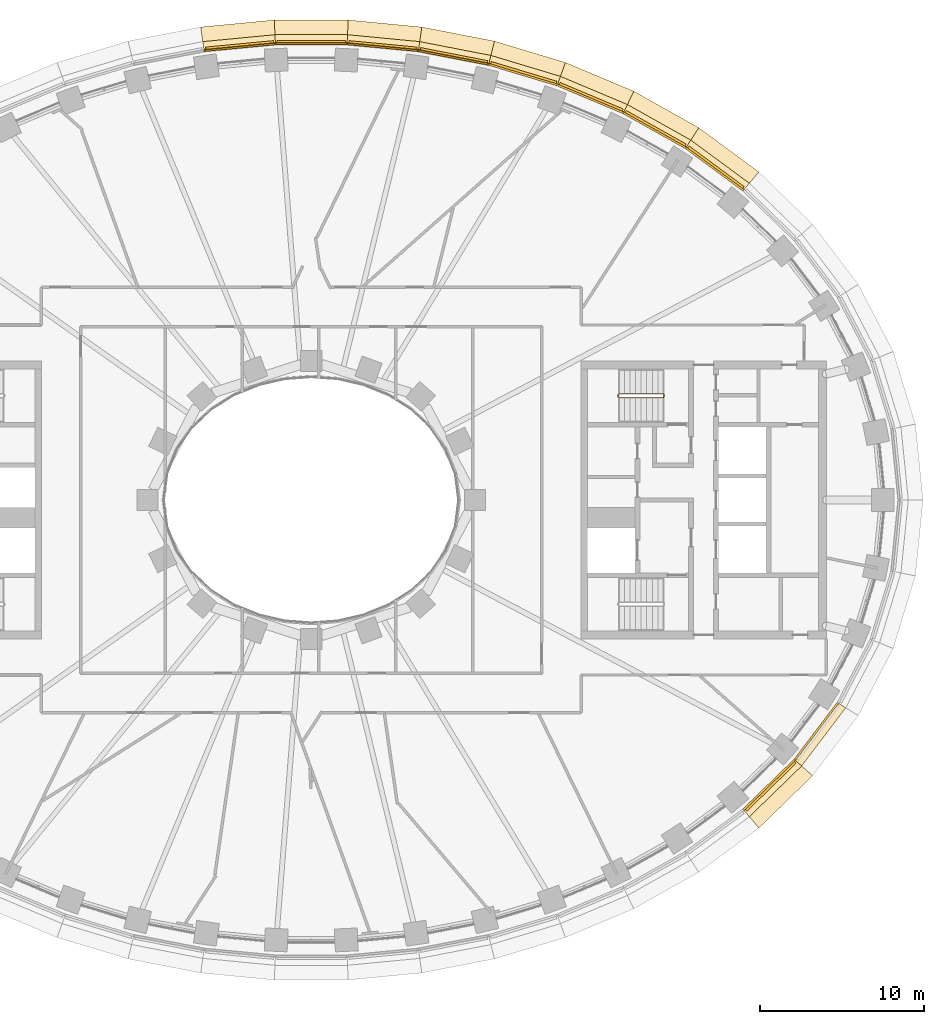
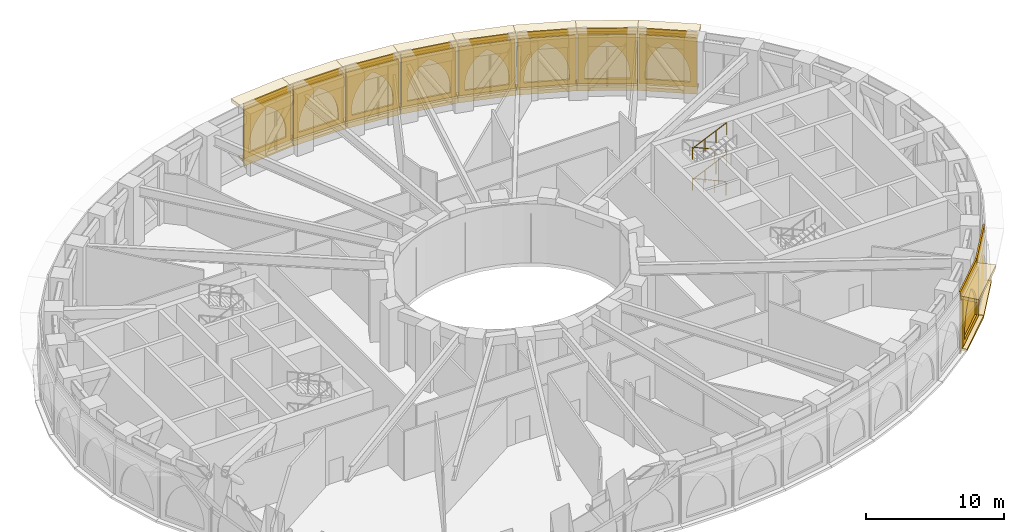
# One storey, part 24 of 25: 38 coverings, 1 railing.
"""IFC4 building model written with IfcOpenShell, lengths in metres."""

from ifc_helpers import new_model, si_unit, direction, frame, origin, origin_2d, place, context, subcontext, project, spatial, polyline, rectangle, outline, extrude, material, layer, layer_set, type_object, element, save


model = new_model("IFC4")

# Units and contexts
model_context = context("Model", 3, precision=1e-05, world=origin(), true_north=direction((0.0, 1.0)))
body_context = subcontext(model_context, "Body", "Model", "MODEL_VIEW")
ifc_project = project(units=[si_unit("LENGTHUNIT", "METRE"), si_unit("AREAUNIT", "SQUARE_METRE"), si_unit("VOLUMEUNIT", "CUBIC_METRE"), si_unit("PLANEANGLEUNIT", "RADIAN"), si_unit("MASSUNIT", "GRAM", prefix="KILO")], contexts=[model_context])

# Site, building, storey
site_placement = place(None, origin())
site = spatial("IfcSite", under=ifc_project, at=site_placement, CompositionType="ELEMENT")
building_placement = place(site_placement, origin())
building = spatial("IfcBuilding", under=site, at=building_placement, Name="Noorbagh Ring Tower", CompositionType="ELEMENT")
storey_placement = place(building_placement, frame((0.0, 0.0, 82.5)))
storey = spatial("IfcBuildingStorey", under=building, at=storey_placement, Name="L18", CompositionType="ELEMENT", Elevation=82.5)

# Railing
ifc_material_1 = material(Name="Stainless steel", Category="steel")
railing_type = type_object("IfcRailingType", Name="CORE-STAIR-GUARD", PredefinedType="GUARDRAIL", material=ifc_material_1)
railing_placement = place(storey_placement, frame((21.580078125, 6.449951171875, 0.0)))
element("IfcRailing", 1, at=railing_placement, inside=storey, type_object=railing_type, Name="L18 ST3 stair guard", PredefinedType="GUARDRAIL", context=body_context, shape_type="SweptSolid", body=[
    extrude(rectangle(XDim=0.048095703125, YDim=0.048095703125, at=origin_2d()), frame((0.0, 0.0, 1.076171875), z_axis=(0.0, -1.0, 0.0), x_axis=(1.0, 0.0, 0.0)), (0.0, 0.0, 1.0), 0.14990234375),
    extrude(rectangle(XDim=0.048095703125, YDim=0.048095703125, at=origin_2d()), frame((0.0, -0.14990234375, 1.076171875), z_axis=(-0.195046945594, 0.779236333862, 0.595606770449), x_axis=(-0.970072785993, -0.242814311512, 0.0)), (0.0, 0.0, 1.0), 0.256591796875),
    extrude(rectangle(XDim=0.048095703125, YDim=0.048095703125, at=origin_2d()), frame((-0.050048828125, 0.050048828125, 1.22900390625), z_axis=(-0.912149621895, 0.0, 0.409857374312), x_axis=(0.0, -1.0, 0.0)), (0.0, 0.0, 1.0), 2.98193359375),
    extrude(rectangle(XDim=0.048095703125, YDim=0.048095703125, at=origin_2d()), frame((-2.77001953125, 0.050048828125, 2.451171875), z_axis=(-0.707106781187, -0.707106781187, 0.0), x_axis=(0.707106781187, -0.707106781187, 0.0)), (0.0, 0.0, 1.0), 0.07080078125),
    extrude(rectangle(XDim=0.048095703125, YDim=0.048095703125, at=origin_2d()), frame((-2.820068359375, 0.0, 2.451171875), z_axis=(0.0, -1.0, 0.0), x_axis=(1.0, 0.0, 0.0)), (0.0, 0.0, 1.0), 0.14990234375),
    extrude(rectangle(XDim=0.048095703125, YDim=0.048095703125, at=origin_2d()), frame((-2.820068359375, -0.14990234375, 2.451171875), z_axis=(0.297155754911, -0.297155754911, 0.90741220768), x_axis=(0.707106781187, 0.707106781187, 0.0)), (0.0, 0.0, 1.0), 0.16845703125),
    extrude(rectangle(XDim=0.048095703125, YDim=0.048095703125, at=origin_2d()), frame((-2.77001953125, -0.199951171875, 2.60400390625), z_axis=(0.912149621895, 0.0, 0.409857374312), x_axis=(0.0, 1.0, 0.0)), (0.0, 0.0, 1.0), 2.98193359375),
    extrude(rectangle(XDim=0.048095703125, YDim=0.048095703125, at=origin_2d()), frame((-0.050048828125, -0.199951171875, 3.826171875), z_axis=(0.242814311512, 0.970072785993, 0.0), x_axis=(-0.970072785993, 0.242814311512, 0.0)), (0.0, 0.0, 1.0), 0.2060546875),
    extrude(rectangle(XDim=0.048095703125, YDim=0.048095703125, at=origin_2d()), frame((0.0, 0.0, 3.826171875), z_axis=(0.0, -1.0, 0.0), x_axis=(1.0, 0.0, 0.0)), (0.0, 0.0, 1.0), 0.14990234375),
    extrude(rectangle(XDim=0.048095703125, YDim=0.048095703125, at=origin_2d()), frame((0.0, -0.14990234375, 3.826171875), z_axis=(-0.195046945594, 0.779236333862, 0.595606770449), x_axis=(-0.970072785993, -0.242814311512, 0.0)), (0.0, 0.0, 1.0), 0.256591796875),
    extrude(rectangle(XDim=0.048095703125, YDim=0.048095703125, at=origin_2d()), frame((-0.050048828125, 0.050048828125, 3.97900390625), z_axis=(-0.912149621895, 0.0, 0.409857374312), x_axis=(0.0, -1.0, 0.0)), (0.0, 0.0, 1.0), 2.98193359375),
    extrude(rectangle(XDim=0.048095703125, YDim=0.048095703125, at=origin_2d()), frame((-2.77001953125, 0.050048828125, 5.201171875), z_axis=(-0.707106781187, -0.707106781187, 0.0), x_axis=(0.707106781187, -0.707106781187, 0.0)), (0.0, 0.0, 1.0), 0.07080078125),
    extrude(rectangle(XDim=0.048095703125, YDim=0.048095703125, at=origin_2d()), frame((-2.820068359375, 0.0, 5.201171875), z_axis=(0.0, -1.0, 0.0), x_axis=(1.0, 0.0, 0.0)), (0.0, 0.0, 1.0), 0.14990234375),
    extrude(rectangle(XDim=0.048095703125, YDim=0.048095703125, at=origin_2d()), frame((-2.820068359375, -0.14990234375, 5.201171875), z_axis=(0.297155754911, -0.297155754911, 0.90741220768), x_axis=(0.707106781187, 0.707106781187, 0.0)), (0.0, 0.0, 1.0), 0.16845703125),
    extrude(rectangle(XDim=0.048095703125, YDim=0.048095703125, at=origin_2d()), frame((-2.77001953125, -0.199951171875, 5.35400390625), z_axis=(0.912149621895, 0.0, 0.409857374312), x_axis=(0.0, 1.0, 0.0)), (0.0, 0.0, 1.0), 2.98193359375),
    extrude(rectangle(XDim=0.0419921875, YDim=0.0419921875, at=origin_2d()), origin(), (0.0, 0.0, 1.0), 1.052001953125),
    extrude(rectangle(XDim=0.0419921875, YDim=0.0419921875, at=origin_2d()), frame((-0.956787109375, 0.050048828125, 0.560302734375)), (0.0, 0.0, 1.0), 1.052001953125),
    extrude(rectangle(XDim=0.0419921875, YDim=0.0419921875, at=origin_2d()), frame((-1.86328125, 0.050048828125, 0.967529296875)), (0.0, 0.0, 1.0), 1.052001953125),
    extrude(rectangle(XDim=0.0419921875, YDim=0.0419921875, at=origin_2d()), frame((-2.77001953125, 0.050048828125, 1.375)), (0.0, 0.0, 1.0), 1.052001953125),
    extrude(rectangle(XDim=0.0419921875, YDim=0.0419921875, at=origin_2d()), frame((-1.86328125, -0.199951171875, 1.935302734375)), (0.0, 0.0, 1.0), 1.052001953125),
    extrude(rectangle(XDim=0.0419921875, YDim=0.0419921875, at=origin_2d()), frame((-0.956787109375, -0.199951171875, 2.342529296875)), (0.0, 0.0, 1.0), 1.052001953125),
    extrude(rectangle(XDim=0.0419921875, YDim=0.0419921875, at=origin_2d()), frame((-0.050048828125, -0.199951171875, 2.75)), (0.0, 0.0, 1.0), 1.052001953125),
    extrude(rectangle(XDim=0.0419921875, YDim=0.0419921875, at=origin_2d()), frame((-0.956787109375, 0.050048828125, 3.310302734375)), (0.0, 0.0, 1.0), 1.052001953125),
    extrude(rectangle(XDim=0.0419921875, YDim=0.0419921875, at=origin_2d()), frame((-1.86328125, 0.050048828125, 3.717529296875)), (0.0, 0.0, 1.0), 1.052001953125),
    extrude(rectangle(XDim=0.0419921875, YDim=0.0419921875, at=origin_2d()), frame((-2.77001953125, 0.050048828125, 4.125)), (0.0, 0.0, 1.0), 1.052001953125),
    extrude(rectangle(XDim=0.0419921875, YDim=0.0419921875, at=origin_2d()), frame((-1.86328125, -0.199951171875, 4.685302734375)), (0.0, 0.0, 1.0), 1.052001953125),
    extrude(rectangle(XDim=0.0419921875, YDim=0.0419921875, at=origin_2d()), frame((-0.956787109375, -0.199951171875, 5.092529296875)), (0.0, 0.0, 1.0), 1.052001953125),
    extrude(rectangle(XDim=0.0419921875, YDim=0.0419921875, at=origin_2d()), frame((-0.050048828125, -0.199951171875, 5.5)), (0.0, 0.0, 1.0), 1.052001953125),
])

# Coverings
ifc_material_2 = material(Name="Aluminium 6063-T6 black anodised", Category="aluminium")
ifc_layer_1 = layer(ifc_material_2, 0.1201171875)
ifc_layer_set_1 = layer_set([ifc_layer_1], Name="Aluminium 6063-T6 black anodised")
covering_type_1 = type_object("IfcCoveringType", Name="ENV-LOUVRE-BAND", PredefinedType="CLADDING", material=ifc_layer_set_1)
covering_1_placement = place(storey_placement, frame((24.662109375, 20.2353515625, -0.300048828125), z_axis=(0.0, 0.0, 1.0), x_axis=(-0.805153045326, 0.593067090304, 0.0)))
element("IfcCovering", 2, at=covering_1_placement, inside=storey, type_object=covering_type_1, Name="Louvre screen chord 06", ObjectType="LOUVRE", PredefinedType="CLADDING", context=body_context, shape_type="SweptSolid", body=[
    extrude(rectangle(XDim=4.3486328125, YDim=0.1201171875, at=origin_2d()), origin(), (0.0, 0.0, 1.0), 5.5),
])
covering_2_placement = place(storey_placement, frame((20.990966796875, 22.604736328125, -0.300048828125), z_axis=(0.0, 0.0, 1.0), x_axis=(-0.872044586249, 0.48942643941, 0.0)))
element("IfcCovering", 3, at=covering_2_placement, inside=storey, type_object=covering_type_1, Name="Louvre screen chord 07", ObjectType="LOUVRE", PredefinedType="CLADDING", context=body_context, shape_type="SweptSolid", body=[
    extrude(rectangle(XDim=4.34912109375, YDim=0.1201171875, at=origin_2d()), origin(), (0.0, 0.0, 1.0), 5.5),
])
covering_3_placement = place(storey_placement, frame((17.0634765625, 24.52490234375, -0.300048828125), z_axis=(0.0, 0.0, 1.0), x_axis=(-0.921811566494, 0.387638279686, 0.0)))
element("IfcCovering", 4, at=covering_3_placement, inside=storey, type_object=covering_type_1, Name="Louvre screen chord 08", ObjectType="LOUVRE", PredefinedType="CLADDING", context=body_context, shape_type="SweptSolid", body=[
    extrude(rectangle(XDim=4.349365234375, YDim=0.1201171875, at=origin_2d()), origin(), (0.0, 0.0, 1.0), 5.5),
])
covering_4_placement = place(storey_placement, frame((12.947998046875, 26.0048828125, -0.300048828125), z_axis=(0.0, 0.0, 1.0), x_axis=(-0.957577925467, 0.28817445525, 0.0)))
element("IfcCovering", 5, at=covering_4_placement, inside=storey, type_object=covering_type_1, Name="Louvre screen chord 09", ObjectType="LOUVRE", PredefinedType="CLADDING", context=body_context, shape_type="SweptSolid", body=[
    extrude(rectangle(XDim=4.349609375, YDim=0.1201171875, at=origin_2d()), origin(), (0.0, 0.0, 1.0), 5.5),
])
for number, where, z_axis, x_axis, name in (
    (6, (8.700927734375, 27.053955078125, -0.300048828125), (0.0, 0.0, 1.0), (-0.981624952922, 0.190820470077, 0.0), "Louvre screen chord 10"),
    (7, (4.37060546875, 27.679931640625, -0.300048828125), (0.0, 0.0, 1.0), (-0.995476497323, 0.095008122171, 0.0), "Louvre screen chord 11"),
    (8, (0.0, 27.887939453125, -0.300048828125), (0.0, 0.0, 1.0), (-1.0, 0.0, 0.0), "Louvre screen chord 12"),
    (9, (-4.37060546875, 27.679931640625, -0.300048828125), (0.0, 0.0, 1.0), (-0.995476497323, -0.095008122171, 0.0), "Louvre screen chord 13"),
):
    element("IfcCovering", number, at=place(storey_placement, frame(where, z_axis=z_axis, x_axis=x_axis)), inside=storey, type_object=covering_type_1, Name=name, ObjectType="LOUVRE", PredefinedType="CLADDING", context=body_context, shape_type="SweptSolid", body=[
        extrude(rectangle(XDim=4.349853515625, YDim=0.1201171875, at=origin_2d()), origin(), (0.0, 0.0, 1.0), 5.5),
    ])
covering_5_placement = place(storey_placement, frame((27.993408203125, -17.41259765625, -0.300048828125), z_axis=(0.0, 0.0, 1.0), x_axis=(0.717224548362, 0.696842125038, 0.0)))
element("IfcCovering", 10, at=covering_5_placement, inside=storey, type_object=covering_type_1, Name="Louvre screen chord 42", ObjectType="LOUVRE", PredefinedType="CLADDING", context=body_context, shape_type="SweptSolid", body=[
    extrude(rectangle(XDim=4.347900390625, YDim=0.1201171875, at=origin_2d()), origin(), (0.0, 0.0, 1.0), 5.5),
])
covering_6_placement = place(storey_placement, frame((30.883544921875, -14.145263671875, -0.300048828125), z_axis=(0.0, 0.0, 1.0), x_axis=(0.604020184358, 0.796969018776, 0.0)))
element("IfcCovering", 11, at=covering_6_placement, inside=storey, type_object=covering_type_1, Name="Louvre screen chord 43", ObjectType="LOUVRE", PredefinedType="CLADDING", context=body_context, shape_type="SweptSolid", body=[
    extrude(rectangle(XDim=4.346923828125, YDim=0.1201171875, at=origin_2d()), origin(), (0.0, 0.0, 1.0), 5.5),
])
ifc_material_3 = material(Name="Red sandstone cladding", Category="masonry")
ifc_layer_2 = layer(ifc_material_3, 0.14990234375)
ifc_layer_set_2 = layer_set([ifc_layer_2], Name="Red sandstone cladding")
covering_type_2 = type_object("IfcCoveringType", Name="STYLE-BAND-ARCADE", PredefinedType="USERDEFINED", material=ifc_layer_set_2)
covering_7_placement = place(storey_placement, frame((26.471435546875, 19.163330078125, 0.25), z_axis=(0.593079629262, 0.805143809114, 0.0), x_axis=(-0.805143809114, 0.593079629262, 0.0)))
element("IfcCovering", 12, at=covering_7_placement, inside=storey, type_object=covering_type_2, Name="Blind arch bay of the band", ObjectType="ARCH", PredefinedType="USERDEFINED", context=body_context, shape_type="SweptSolid", body=[
    extrude(outline(polyline([(0.0, 0.0), (4.184814453125, 0.0), (4.184814453125, 4.300048828125), (0.0, 4.300048828125), (0.0, 0.0)]), holes=[polyline([(0.449951171875, 0.39990234375), (0.449951171875, 0.9052734375), (0.47802734375, 1.333984375), (0.56201171875, 1.75537109375), (0.7001953125, 2.162353515625), (0.89013671875, 2.547607421875), (1.12890625, 2.905029296875), (1.412109375, 3.22802734375), (1.735107421875, 3.511474609375), (2.092529296875, 3.75), (2.44970703125, 3.511474609375), (2.772705078125, 3.22802734375), (3.05615234375, 2.905029296875), (3.294921875, 2.547607421875), (3.48486328125, 2.162353515625), (3.623046875, 1.75537109375), (3.706787109375, 1.333984375), (3.73486328125, 0.9052734375), (3.73486328125, 0.39990234375), (0.449951171875, 0.39990234375)])]), origin(), (0.0, 0.0, -1.0), 0.14990234375),
])
covering_8_placement = place(storey_placement, frame((22.918701171875, 21.763671875, 0.25), z_axis=(0.489402470802, 0.872058037961, 0.0), x_axis=(-0.872058037961, 0.489402470802, 0.0)))
element("IfcCovering", 13, at=covering_8_placement, inside=storey, type_object=covering_type_2, Name="Blind arch bay of the band", ObjectType="ARCH", PredefinedType="USERDEFINED", context=body_context, shape_type="SweptSolid", body=[
    extrude(outline(polyline([(0.0, 0.0), (4.185302734375, 0.0), (4.185302734375, 4.300048828125), (0.0, 4.300048828125), (0.0, 0.0)]), holes=[polyline([(0.449951171875, 0.39990234375), (0.449951171875, 0.90478515625), (0.47802734375, 1.33349609375), (0.56201171875, 1.755126953125), (0.7001953125, 2.162109375), (0.89013671875, 2.547607421875), (1.12890625, 2.90478515625), (1.412353515625, 3.22802734375), (1.7353515625, 3.51123046875), (2.0927734375, 3.75), (2.4501953125, 3.51123046875), (2.773193359375, 3.22802734375), (3.056396484375, 2.90478515625), (3.29541015625, 2.547607421875), (3.4853515625, 2.162109375), (3.62353515625, 1.755126953125), (3.70751953125, 1.33349609375), (3.735595703125, 0.90478515625), (3.735595703125, 0.39990234375), (0.449951171875, 0.39990234375)])]), origin(), (0.0, 0.0, -1.0), 0.14990234375),
])
covering_9_placement = place(storey_placement, frame((19.07421875, 23.9072265625, 0.25), z_axis=(0.387624121421, 0.92181752017, 0.0), x_axis=(-0.92181752017, 0.387624121421, 0.0)))
element("IfcCovering", 14, at=covering_9_placement, inside=storey, type_object=covering_type_2, Name="Blind arch bay of the band", ObjectType="ARCH", PredefinedType="USERDEFINED", context=body_context, shape_type="SweptSolid", body=[
    extrude(outline(polyline([(0.0, 0.0), (4.185791015625, 0.0), (4.185791015625, 4.300048828125), (0.0, 4.300048828125), (0.0, 0.0)]), holes=[polyline([(0.449951171875, 0.39990234375), (0.449951171875, 0.904541015625), (0.47802734375, 1.33349609375), (0.56201171875, 1.7548828125), (0.7001953125, 2.161865234375), (0.89013671875, 2.54736328125), (1.12890625, 2.90478515625), (1.412353515625, 3.227783203125), (1.735595703125, 3.51123046875), (2.093017578125, 3.75), (2.4501953125, 3.51123046875), (2.7734375, 3.227783203125), (3.056884765625, 2.90478515625), (3.295654296875, 2.54736328125), (3.485595703125, 2.161865234375), (3.623779296875, 1.7548828125), (3.707763671875, 1.33349609375), (3.73583984375, 0.904541015625), (3.73583984375, 0.39990234375), (0.449951171875, 0.39990234375)])]), origin(), (0.0, 0.0, -1.0), 0.14990234375),
])
covering_10_placement = place(storey_placement, frame((15.0126953125, 25.602783203125, 0.25), z_axis=(0.288182515773, 0.957575499688, 0.0), x_axis=(-0.957575499688, 0.288182515773, 0.0)))
element("IfcCovering", 15, at=covering_10_placement, inside=storey, type_object=covering_type_2, Name="Blind arch bay of the band", ObjectType="ARCH", PredefinedType="USERDEFINED", context=body_context, shape_type="SweptSolid", body=[
    extrude(outline(polyline([(0.0, 0.0), (4.185791015625, 0.0), (4.185791015625, 4.300048828125), (0.0, 4.300048828125), (0.0, 0.0)]), holes=[polyline([(0.449951171875, 0.39990234375), (0.449951171875, 0.904296875), (0.47802734375, 1.333251953125), (0.56201171875, 1.7548828125), (0.7001953125, 2.161865234375), (0.890380859375, 2.54736328125), (1.129150390625, 2.90478515625), (1.41259765625, 3.227783203125), (1.735595703125, 3.51123046875), (2.093017578125, 3.75), (2.450439453125, 3.51123046875), (2.773681640625, 3.227783203125), (3.056884765625, 2.90478515625), (3.2958984375, 2.54736328125), (3.48583984375, 2.161865234375), (3.6240234375, 1.7548828125), (3.7080078125, 1.333251953125), (3.736083984375, 0.904296875), (3.736083984375, 0.39990234375), (0.449951171875, 0.39990234375)])]), origin(), (0.0, 0.0, -1.0), 0.14990234375),
])
covering_11_placement = place(storey_placement, frame((10.7958984375, 26.860595703125, 0.25), z_axis=(0.190819708322, 0.981625101001, 0.0), x_axis=(-0.981625101001, 0.190819708322, 0.0)))
element("IfcCovering", 16, at=covering_11_placement, inside=storey, type_object=covering_type_2, Name="Blind arch bay of the band", ObjectType="ARCH", PredefinedType="USERDEFINED", context=body_context, shape_type="SweptSolid", body=[
    extrude(outline(polyline([(0.0, 0.0), (4.186279296875, 0.0), (4.186279296875, 4.300048828125), (0.0, 4.300048828125), (0.0, 0.0)]), holes=[polyline([(0.449951171875, 0.39990234375), (0.449951171875, 0.904052734375), (0.47802734375, 1.3330078125), (0.56201171875, 1.754638671875), (0.7001953125, 2.16162109375), (0.890380859375, 2.547119140625), (1.129150390625, 2.90478515625), (1.41259765625, 3.227783203125), (1.735595703125, 3.51123046875), (2.093017578125, 3.75), (2.450439453125, 3.51123046875), (2.773681640625, 3.227783203125), (3.05712890625, 2.90478515625), (3.2958984375, 2.547119140625), (3.486083984375, 2.16162109375), (3.624267578125, 1.754638671875), (3.7080078125, 1.3330078125), (3.736083984375, 0.904052734375), (3.736083984375, 0.39990234375), (0.449951171875, 0.39990234375)])]), origin(), (0.0, 0.0, -1.0), 0.14990234375),
])
covering_12_placement = place(storey_placement, frame((6.474365234375, 27.690185546875, 0.25), z_axis=(0.094998982718, 0.995477369548, 0.0), x_axis=(-0.995477369548, 0.094998982718, 0.0)))
element("IfcCovering", 17, at=covering_12_placement, inside=storey, type_object=covering_type_2, Name="Blind arch bay of the band", ObjectType="ARCH", PredefinedType="USERDEFINED", context=body_context, shape_type="SweptSolid", body=[
    extrude(outline(polyline([(0.0, 0.0), (4.1865234375, 0.0), (4.1865234375, 4.300048828125), (0.0, 4.300048828125), (0.0, 0.0)]), holes=[polyline([(0.449951171875, 0.39990234375), (0.449951171875, 0.904052734375), (0.47802734375, 1.3330078125), (0.56201171875, 1.754638671875), (0.7001953125, 2.16162109375), (0.890380859375, 2.547119140625), (1.129150390625, 2.904541015625), (1.41259765625, 3.227783203125), (1.735595703125, 3.51123046875), (2.09326171875, 3.75), (2.45068359375, 3.51123046875), (2.773681640625, 3.227783203125), (3.05712890625, 2.904541015625), (3.2958984375, 2.547119140625), (3.486083984375, 2.16162109375), (3.624267578125, 1.754638671875), (3.708251953125, 1.3330078125), (3.736328125, 0.904052734375), (3.736328125, 0.39990234375), (0.449951171875, 0.39990234375)])]), origin(), (0.0, 0.0, -1.0), 0.14990234375),
])
covering_13_placement = place(storey_placement, frame((2.09326171875, 28.097900390625, 0.25), z_axis=(0.0, 1.0, 0.0), x_axis=(-1.0, 0.0, 0.0)))
element("IfcCovering", 18, at=covering_13_placement, inside=storey, type_object=covering_type_2, Name="Blind arch bay of the band", ObjectType="ARCH", PredefinedType="USERDEFINED", context=body_context, shape_type="SweptSolid", body=[
    extrude(outline(polyline([(0.0, 0.0), (4.1865234375, 0.0), (4.1865234375, 4.300048828125), (0.0, 4.300048828125), (0.0, 0.0)]), holes=[polyline([(0.449951171875, 0.39990234375), (0.449951171875, 0.904052734375), (0.47802734375, 1.3330078125), (0.56201171875, 1.754638671875), (0.7001953125, 2.16162109375), (0.890380859375, 2.547119140625), (1.129150390625, 2.904541015625), (1.41259765625, 3.227783203125), (1.735595703125, 3.51123046875), (2.09326171875, 3.75), (2.45068359375, 3.51123046875), (2.773681640625, 3.227783203125), (3.05712890625, 2.904541015625), (3.296142578125, 2.547119140625), (3.486083984375, 2.16162109375), (3.62451171875, 1.754638671875), (3.708251953125, 1.3330078125), (3.736328125, 0.904052734375), (3.736328125, 0.39990234375), (0.449951171875, 0.39990234375)])]), origin(), (0.0, 0.0, -1.0), 0.14990234375),
])
covering_14_placement = place(storey_placement, frame((-2.306884765625, 28.087890625, 0.25), z_axis=(-0.094998982718, 0.995477369548, 0.0), x_axis=(-0.995477369548, -0.094998982718, 0.0)))
element("IfcCovering", 19, at=covering_14_placement, inside=storey, type_object=covering_type_2, Name="Blind arch bay of the band", ObjectType="ARCH", PredefinedType="USERDEFINED", context=body_context, shape_type="SweptSolid", body=[
    extrude(outline(polyline([(0.0, 0.0), (4.1865234375, 0.0), (4.1865234375, 4.300048828125), (0.0, 4.300048828125), (0.0, 0.0)]), holes=[polyline([(0.449951171875, 0.39990234375), (0.449951171875, 0.904052734375), (0.47802734375, 1.3330078125), (0.56201171875, 1.754638671875), (0.7001953125, 2.16162109375), (0.890380859375, 2.547119140625), (1.129150390625, 2.904541015625), (1.41259765625, 3.227783203125), (1.735595703125, 3.51123046875), (2.09326171875, 3.75), (2.45068359375, 3.51123046875), (2.773681640625, 3.227783203125), (3.05712890625, 2.904541015625), (3.2958984375, 2.547119140625), (3.486083984375, 2.16162109375), (3.624267578125, 1.754638671875), (3.708251953125, 1.3330078125), (3.736328125, 0.904052734375), (3.736328125, 0.39990234375), (0.449951171875, 0.39990234375)])]), origin(), (0.0, 0.0, -1.0), 0.14990234375),
])
covering_15_placement = place(storey_placement, frame((26.639404296875, -19.021240234375, 0.25), z_axis=(0.696851724238, -0.717215221831, 0.0), x_axis=(0.717215221831, 0.696851724238, 0.0)))
element("IfcCovering", 20, at=covering_15_placement, inside=storey, type_object=covering_type_2, Name="Blind arch bay of the band", ObjectType="ARCH", PredefinedType="USERDEFINED", context=body_context, shape_type="SweptSolid", body=[
    extrude(outline(polyline([(0.0, 0.0), (4.184326171875, 0.0), (4.184326171875, 4.300048828125), (0.0, 4.300048828125), (0.0, 0.0)]), holes=[polyline([(0.449951171875, 0.39990234375), (0.449951171875, 0.90576171875), (0.47802734375, 1.33447265625), (0.56201171875, 1.755859375), (0.699951171875, 2.16259765625), (0.889892578125, 2.548095703125), (1.128662109375, 2.9052734375), (1.411865234375, 3.228271484375), (1.73486328125, 3.511474609375), (2.092041015625, 3.75), (2.44921875, 3.511474609375), (2.772216796875, 3.228271484375), (3.0556640625, 2.9052734375), (3.294189453125, 2.548095703125), (3.484130859375, 2.16259765625), (3.622314453125, 1.755859375), (3.706298828125, 1.33447265625), (3.734130859375, 0.90576171875), (3.734130859375, 0.39990234375), (0.449951171875, 0.39990234375)])]), origin(), (0.0, 0.0, -1.0), 0.14990234375),
])
ifc_material_4 = material(Name="Red sandstone eave", Category="masonry")
covering_type_3 = type_object("IfcCoveringType", Name="STYLE-BAND-EAVE", PredefinedType="USERDEFINED", material=ifc_material_4)
covering_16_placement = place(storey_placement, frame((0.0, 0.0, 4.550048828125)))
element("IfcCovering", 21, at=covering_16_placement, inside=storey, type_object=covering_type_3, Name="Chhajja eave", ObjectType="CHHAJJA", PredefinedType="USERDEFINED", context=body_context, shape_type="SweptSolid", body=[
    extrude(outline(polyline([(26.463134765625, 18.9833984375), (22.9326171875, 21.583740234375), (23.693115234375, 22.762451171875), (27.3701171875, 20.053955078125), (26.463134765625, 18.9833984375)])), origin(), (0.0, 0.0, 1.0), 0.300048828125),
])
covering_17_placement = place(storey_placement, frame((0.0, 0.0, 4.550048828125)))
element("IfcCovering", 22, at=covering_17_placement, inside=storey, type_object=covering_type_3, Name="Chhajja eave", ObjectType="CHHAJJA", PredefinedType="USERDEFINED", context=body_context, shape_type="SweptSolid", body=[
    extrude(outline(polyline([(22.9326171875, 21.583740234375), (19.108154296875, 23.730224609375), (19.72412109375, 24.989990234375), (23.693115234375, 22.762451171875), (22.9326171875, 21.583740234375)])), origin(), (0.0, 0.0, 1.0), 0.300048828125),
])
covering_18_placement = place(storey_placement, frame((0.0, 0.0, 4.550048828125)))
element("IfcCovering", 23, at=covering_18_placement, inside=storey, type_object=covering_type_3, Name="Chhajja eave", ObjectType="CHHAJJA", PredefinedType="USERDEFINED", context=body_context, shape_type="SweptSolid", body=[
    extrude(outline(polyline([(19.108154296875, 23.730224609375), (15.065185546875, 25.430419921875), (15.539794921875, 26.74951171875), (19.72412109375, 24.989990234375), (19.108154296875, 23.730224609375)])), origin(), (0.0, 0.0, 1.0), 0.300048828125),
])
covering_19_placement = place(storey_placement, frame((0.0, 0.0, 4.550048828125)))
element("IfcCovering", 24, at=covering_19_placement, inside=storey, type_object=covering_type_3, Name="Chhajja eave", ObjectType="CHHAJJA", PredefinedType="USERDEFINED", context=body_context, shape_type="SweptSolid", body=[
    extrude(outline(polyline([(15.065185546875, 25.430419921875), (10.865234375, 26.6943359375), (11.201416015625, 28.05517578125), (15.539794921875, 26.74951171875), (15.065185546875, 25.430419921875)])), origin(), (0.0, 0.0, 1.0), 0.300048828125),
])
covering_20_placement = place(storey_placement, frame((0.0, 0.0, 4.550048828125)))
element("IfcCovering", 25, at=covering_20_placement, inside=storey, type_object=covering_type_3, Name="Chhajja eave", ObjectType="CHHAJJA", PredefinedType="USERDEFINED", context=body_context, shape_type="SweptSolid", body=[
    extrude(outline(polyline([(10.865234375, 26.6943359375), (6.559814453125, 27.53125), (6.76025390625, 28.91845703125), (11.201416015625, 28.05517578125), (10.865234375, 26.6943359375)])), origin(), (0.0, 0.0, 1.0), 0.300048828125),
])
covering_21_placement = place(storey_placement, frame((0.0, 0.0, 4.550048828125)))
element("IfcCovering", 26, at=covering_21_placement, inside=storey, type_object=covering_type_3, Name="Chhajja eave", ObjectType="CHHAJJA", PredefinedType="USERDEFINED", context=body_context, shape_type="SweptSolid", body=[
    extrude(outline(polyline([(6.559814453125, 27.53125), (2.193115234375, 27.947998046875), (2.259765625, 29.347900390625), (6.76025390625, 28.91845703125), (6.559814453125, 27.53125)])), origin(), (0.0, 0.0, 1.0), 0.300048828125),
])
covering_22_placement = place(storey_placement, frame((0.0, 0.0, 4.550048828125)))
element("IfcCovering", 27, at=covering_22_placement, inside=storey, type_object=covering_type_3, Name="Chhajja eave", ObjectType="CHHAJJA", PredefinedType="USERDEFINED", context=body_context, shape_type="SweptSolid", body=[
    extrude(outline(polyline([(2.193115234375, 27.947998046875), (-2.193115234375, 27.947998046875), (-2.259765625, 29.347900390625), (2.259765625, 29.347900390625), (2.193115234375, 27.947998046875)])), origin(), (0.0, 0.0, 1.0), 0.300048828125),
])
covering_23_placement = place(storey_placement, frame((0.0, 0.0, 4.550048828125)))
element("IfcCovering", 28, at=covering_23_placement, inside=storey, type_object=covering_type_3, Name="Chhajja eave", ObjectType="CHHAJJA", PredefinedType="USERDEFINED", context=body_context, shape_type="SweptSolid", body=[
    extrude(outline(polyline([(-2.193115234375, 27.947998046875), (-6.559814453125, 27.53125), (-6.76025390625, 28.91845703125), (-2.259765625, 29.347900390625), (-2.193115234375, 27.947998046875)])), origin(), (0.0, 0.0, 1.0), 0.300048828125),
])
covering_24_placement = place(storey_placement, frame((0.0, 0.0, 4.550048828125)))
element("IfcCovering", 29, at=covering_24_placement, inside=storey, type_object=covering_type_3, Name="Chhajja eave", ObjectType="CHHAJJA", PredefinedType="USERDEFINED", context=body_context, shape_type="SweptSolid", body=[
    extrude(outline(polyline([(26.463134765625, -18.9833984375), (29.607666015625, -15.927978515625), (30.6591796875, -16.8583984375), (27.3701171875, -20.053955078125), (26.463134765625, -18.9833984375)])), origin(), (0.0, 0.0, 1.0), 0.300048828125),
])
ifc_material_5 = material(Name="Red sandstone eave", Category="masonry")
covering_type_4 = type_object("IfcCoveringType", Name="STYLE-BAND-SILL", PredefinedType="USERDEFINED", material=ifc_material_5)
covering_25_placement = place(storey_placement, frame((0.0, 0.0, 0.050048828125)))
element("IfcCovering", 30, at=covering_25_placement, inside=storey, type_object=covering_type_4, Name="Sill ledge", ObjectType="CHHAJJA", PredefinedType="USERDEFINED", context=body_context, shape_type="SweptSolid", body=[
    extrude(outline(polyline([(26.463134765625, 18.9833984375), (22.9326171875, 21.583740234375), (23.2041015625, 22.004638671875), (26.787109375, 19.365478515625), (26.463134765625, 18.9833984375)])), origin(), (0.0, 0.0, 1.0), 0.199951171875),
])
covering_26_placement = place(storey_placement, frame((0.0, 0.0, 0.050048828125)))
element("IfcCovering", 31, at=covering_26_placement, inside=storey, type_object=covering_type_4, Name="Sill ledge", ObjectType="CHHAJJA", PredefinedType="USERDEFINED", context=body_context, shape_type="SweptSolid", body=[
    extrude(outline(polyline([(22.9326171875, 21.583740234375), (19.108154296875, 23.730224609375), (19.328125, 24.18017578125), (23.2041015625, 22.004638671875), (22.9326171875, 21.583740234375)])), origin(), (0.0, 0.0, 1.0), 0.199951171875),
])
covering_27_placement = place(storey_placement, frame((0.0, 0.0, 0.050048828125)))
element("IfcCovering", 32, at=covering_27_placement, inside=storey, type_object=covering_type_4, Name="Sill ledge", ObjectType="CHHAJJA", PredefinedType="USERDEFINED", context=body_context, shape_type="SweptSolid", body=[
    extrude(outline(polyline([(19.108154296875, 23.730224609375), (15.065185546875, 25.430419921875), (15.234619140625, 25.901611328125), (19.328125, 24.18017578125), (19.108154296875, 23.730224609375)])), origin(), (0.0, 0.0, 1.0), 0.199951171875),
])
covering_28_placement = place(storey_placement, frame((0.0, 0.0, 0.050048828125)))
element("IfcCovering", 33, at=covering_28_placement, inside=storey, type_object=covering_type_4, Name="Sill ledge", ObjectType="CHHAJJA", PredefinedType="USERDEFINED", context=body_context, shape_type="SweptSolid", body=[
    extrude(outline(polyline([(15.065185546875, 25.430419921875), (10.865234375, 26.6943359375), (10.9853515625, 27.180419921875), (15.234619140625, 25.901611328125), (15.065185546875, 25.430419921875)])), origin(), (0.0, 0.0, 1.0), 0.199951171875),
])
covering_29_placement = place(storey_placement, frame((0.0, 0.0, 0.050048828125)))
element("IfcCovering", 34, at=covering_29_placement, inside=storey, type_object=covering_type_4, Name="Sill ledge", ObjectType="CHHAJJA", PredefinedType="USERDEFINED", context=body_context, shape_type="SweptSolid", body=[
    extrude(outline(polyline([(10.865234375, 26.6943359375), (6.559814453125, 27.53125), (6.63134765625, 28.026611328125), (10.9853515625, 27.180419921875), (10.865234375, 26.6943359375)])), origin(), (0.0, 0.0, 1.0), 0.199951171875),
])
covering_30_placement = place(storey_placement, frame((0.0, 0.0, 0.050048828125)))
element("IfcCovering", 35, at=covering_30_placement, inside=storey, type_object=covering_type_4, Name="Sill ledge", ObjectType="CHHAJJA", PredefinedType="USERDEFINED", context=body_context, shape_type="SweptSolid", body=[
    extrude(outline(polyline([(6.559814453125, 27.53125), (2.193115234375, 27.947998046875), (2.217041015625, 28.447998046875), (6.63134765625, 28.026611328125), (6.559814453125, 27.53125)])), origin(), (0.0, 0.0, 1.0), 0.199951171875),
])
covering_31_placement = place(storey_placement, frame((0.0, 0.0, 0.050048828125)))
element("IfcCovering", 36, at=covering_31_placement, inside=storey, type_object=covering_type_4, Name="Sill ledge", ObjectType="CHHAJJA", PredefinedType="USERDEFINED", context=body_context, shape_type="SweptSolid", body=[
    extrude(outline(polyline([(2.193115234375, 27.947998046875), (-2.193115234375, 27.947998046875), (-2.217041015625, 28.447998046875), (2.217041015625, 28.447998046875), (2.193115234375, 27.947998046875)])), origin(), (0.0, 0.0, 1.0), 0.199951171875),
])
covering_32_placement = place(storey_placement, frame((0.0, 0.0, 0.050048828125)))
element("IfcCovering", 37, at=covering_32_placement, inside=storey, type_object=covering_type_4, Name="Sill ledge", ObjectType="CHHAJJA", PredefinedType="USERDEFINED", context=body_context, shape_type="SweptSolid", body=[
    extrude(outline(polyline([(-2.193115234375, 27.947998046875), (-6.559814453125, 27.53125), (-6.63134765625, 28.026611328125), (-2.217041015625, 28.447998046875), (-2.193115234375, 27.947998046875)])), origin(), (0.0, 0.0, 1.0), 0.199951171875),
])
covering_33_placement = place(storey_placement, frame((0.0, 0.0, 0.050048828125)))
element("IfcCovering", 38, at=covering_33_placement, inside=storey, type_object=covering_type_4, Name="Sill ledge", ObjectType="CHHAJJA", PredefinedType="USERDEFINED", context=body_context, shape_type="SweptSolid", body=[
    extrude(outline(polyline([(26.463134765625, -18.9833984375), (29.607666015625, -15.927978515625), (29.983154296875, -16.260498046875), (26.787109375, -19.365478515625), (26.463134765625, -18.9833984375)])), origin(), (0.0, 0.0, 1.0), 0.199951171875),
])
covering_34_placement = place(storey_placement, frame((0.0, 0.0, 0.050048828125)))
element("IfcCovering", 39, at=covering_34_placement, inside=storey, type_object=covering_type_4, Name="Sill ledge", ObjectType="CHHAJJA", PredefinedType="USERDEFINED", context=body_context, shape_type="SweptSolid", body=[
    extrude(outline(polyline([(29.607666015625, -15.927978515625), (32.255126953125, -12.434814453125), (32.67919921875, -12.703125), (29.983154296875, -16.260498046875), (29.607666015625, -15.927978515625)])), origin(), (0.0, 0.0, 1.0), 0.199951171875),
])

save(model, "model.ifc")
